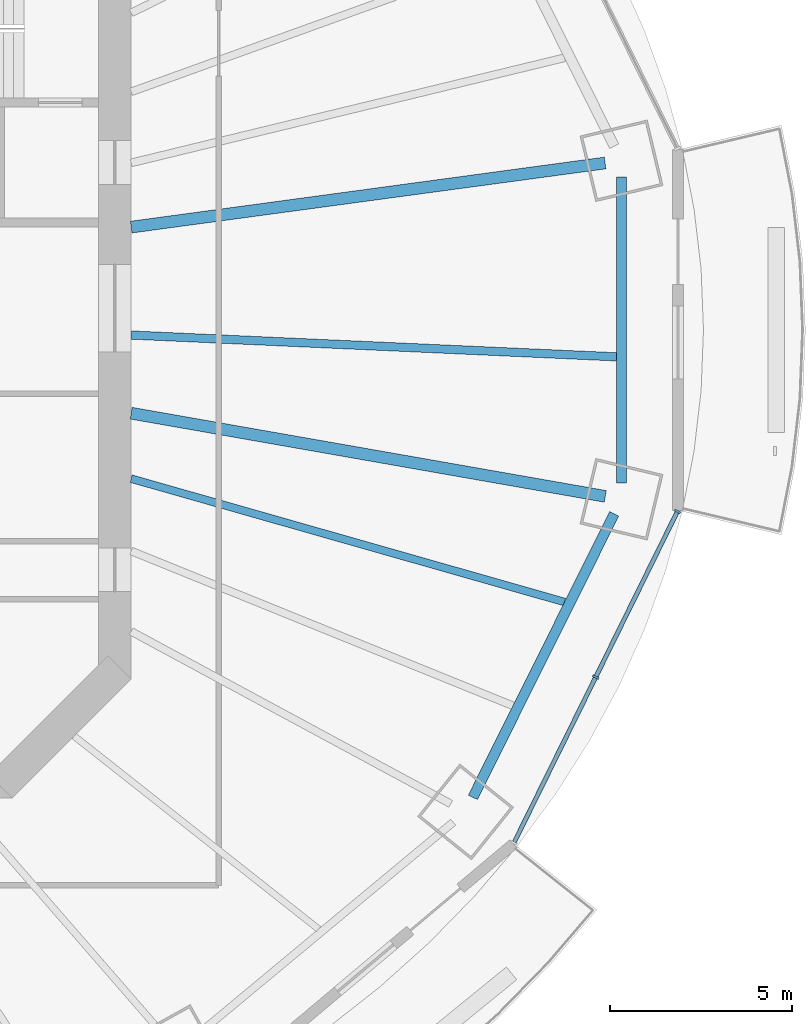
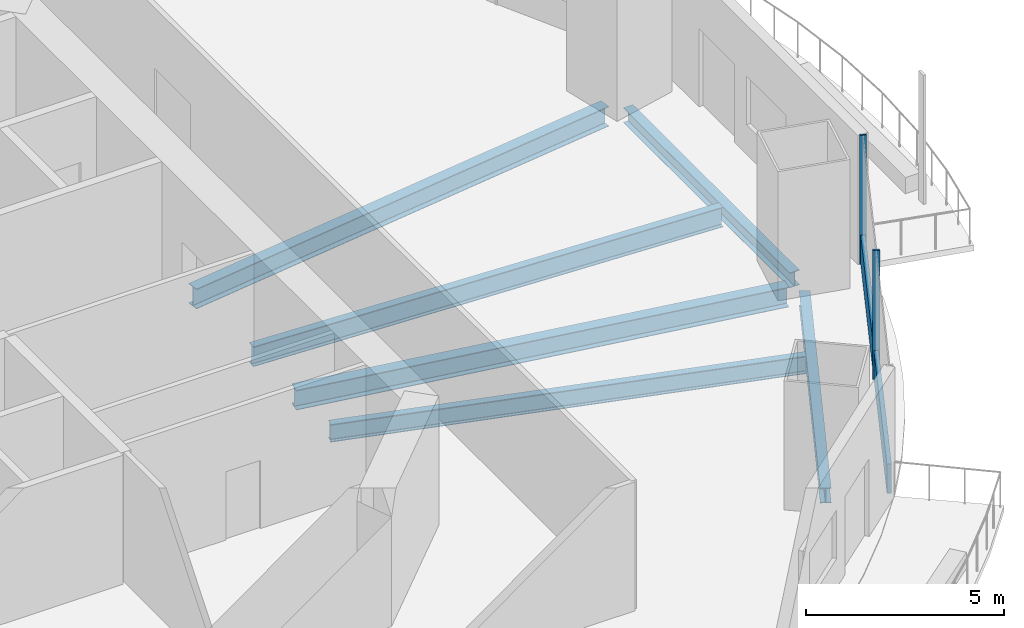
# One storey, part 5 of 19: 6 beams, 3 members, 1 element without a shape of its own.
"""IFC4 building model written with IfcOpenShell, lengths in metres."""

from ifc_helpers import new_model, si_unit, direction, frame, origin, origin_2d, place, context, subcontext, project, spatial, rectangle, i_section, extrude, material, material_profile, profile_set, type_object, element, aggregate, save


model = new_model("IFC4")

# Units and contexts
model_context = context("Model", 3, precision=1e-05, world=origin(), true_north=direction((0.0, 1.0)))
body_context = subcontext(model_context, "Body", "Model", "MODEL_VIEW")
ifc_project = project(units=[si_unit("LENGTHUNIT", "METRE"), si_unit("AREAUNIT", "SQUARE_METRE"), si_unit("VOLUMEUNIT", "CUBIC_METRE"), si_unit("PLANEANGLEUNIT", "RADIAN"), si_unit("MASSUNIT", "GRAM", prefix="KILO")], contexts=[model_context])

# Site, building, storey
site_placement = place(None, origin())
site = spatial("IfcSite", under=ifc_project, at=site_placement, CompositionType="ELEMENT")
building_placement = place(site_placement, origin())
building = spatial("IfcBuilding", under=site, at=building_placement, Name="Marenthal Gate Tower", CompositionType="ELEMENT")
storey_placement = place(building_placement, frame((0.0, 0.0, 244.050048828125)))
storey = spatial("IfcBuildingStorey", under=building, at=storey_placement, Name="L54", CompositionType="ELEMENT", Elevation=244.050048828125)

# Curtain wall, members
ifc_material_1 = material(Name="Aluminium and glass", Category="aluminium")
curtain_wall_type = type_object("IfcCurtainWallType", Name="Curtain wall typical mid", PredefinedType="NOTDEFINED", material=ifc_material_1)
curtain_wall_placement = place(storey_placement, origin())
curtain_wall = element("IfcCurtainWall", 1, at=curtain_wall_placement, inside=storey, type_object=curtain_wall_type, Name="Curtain wall L54 bay 15", PredefinedType="NOTDEFINED")
ifc_material_2 = material(Name="Aluminium", Category="aluminium")
ifc_material_profile_1 = material_profile(ifc_material_2, rectangle(XDim=0.179931640625, YDim=0.06005859375, at=origin_2d()), Name="60x180 aluminium mullion")
ifc_profile_set_1 = profile_set([ifc_material_profile_1], Name="Aluminium")
member_type_1 = type_object("IfcMemberType", Name="Mullion 60x180 typical mid", PredefinedType="MULLION", material=ifc_profile_set_1)
member_1_placement = place(storey_placement, frame((29.205810546875, -10.133056640625, 0.0), z_axis=(0.0, 0.0, 1.0), x_axis=(-0.896835471663, 0.442364258013, 0.0)))
member_1 = element("IfcMember", 2, at=member_1_placement, type_object=member_type_1, Name="Mullion L54 bay 15.2", PredefinedType="MULLION", context=body_context, shape_type="SweptSolid", body=[
    extrude(rectangle(XDim=0.179931640625, YDim=0.06005859375, at=origin_2d()), origin(), (0.0, 0.0, 1.0), 3.969970703125),
])
member_2_placement = place(storey_placement, frame((31.45068359375, -5.58203125, 0.0), z_axis=(0.0, 0.0, 1.0), x_axis=(-0.896835471663, 0.442364258013, 0.0)))
member_2 = element("IfcMember", 3, at=member_2_placement, type_object=member_type_1, Name="Mullion L54 bay 15.3", PredefinedType="MULLION", context=body_context, shape_type="SweptSolid", body=[
    extrude(rectangle(XDim=0.179931640625, YDim=0.06005859375, at=origin_2d()), origin(), (0.0, 0.0, 1.0), 3.969970703125),
])
ifc_material_3 = material(Name="Aluminium", Category="aluminium")
ifc_material_profile_2 = material_profile(ifc_material_3, rectangle(XDim=0.1201171875, YDim=0.89990234375, at=origin_2d()), Name="120x900 aluminium transom")
ifc_profile_set_2 = profile_set([ifc_material_profile_2], Name="Aluminium")
member_type_2 = type_object("IfcMemberType", Name="Transom 120x900 typical mid", PredefinedType="USERDEFINED", material=ifc_profile_set_2)
member_3_placement = place(storey_placement, frame((26.974365234375, -14.656982421875, 0.449951171875), z_axis=(0.442357544454, 0.896838783096, 0.0), x_axis=(-0.896838783096, 0.442357544454, 0.0)))
member_3 = element("IfcMember", 4, at=member_3_placement, type_object=member_type_2, Name="Transom L54 bay 15", ObjectType="TRANSOM", PredefinedType="USERDEFINED", context=body_context, shape_type="SweptSolid", body=[
    extrude(rectangle(XDim=0.1201171875, YDim=0.89990234375, at=origin_2d()), origin(), (0.0, 0.0, 1.0), 10.0888671875),
])
aggregate(curtain_wall, [member_1, member_2, member_3])

# Beams
ifc_material_4 = material(Name="Steel S355", Category="steel")
ifc_material_profile_3 = material_profile(ifc_material_4, i_section(OverallWidth=0.279052734375, OverallDepth=0.4619140625, WebThickness=0.0107421875, FlangeThickness=0.017333984375, FilletRadius=0.010009765625, at=origin_2d()), Name="W460X113")
ifc_profile_set_3 = profile_set([ifc_material_profile_3], Name="Steel S355")
beam_type_1 = type_object("IfcBeamType", Name="W460X113 beam", PredefinedType="BEAM", material=ifc_profile_set_3)
beam_1_placement = place(storey_placement, frame((25.83349609375, -13.433349609375, -0.4111328125), z_axis=(0.446112921938, 0.894976681752, 0.0), x_axis=(-0.894976681752, 0.446112921938, 0.0)))
element("IfcBeam", 5, at=beam_1_placement, inside=storey, type_object=beam_type_1, Name="BM-L54-55", PredefinedType="BEAM", context=body_context, shape_type="SweptSolid", body=[
    extrude(i_section(OverallWidth=0.279052734375, OverallDepth=0.4619140625, WebThickness=0.0107421875, FlangeThickness=0.017333984375, FilletRadius=0.010009765625, at=origin_2d()), origin(), (0.0, 0.0, 1.0), 8.69775390625),
])
beam_2_placement = place(storey_placement, frame((29.914306640625, -4.7958984375, -0.4111328125), z_axis=(0.0, 1.0, 0.0), x_axis=(-1.0, 0.0, 0.0)))
element("IfcBeam", 6, at=beam_2_placement, inside=storey, type_object=beam_type_1, Name="BM-L54-56", PredefinedType="BEAM", context=body_context, shape_type="SweptSolid", body=[
    extrude(i_section(OverallWidth=0.279052734375, OverallDepth=0.4619140625, WebThickness=0.0107421875, FlangeThickness=0.017333984375, FilletRadius=0.010009765625, at=origin_2d()), origin(), (0.0, 0.0, 1.0), 8.3916015625),
])
ifc_material_5 = material(Name="Steel S355", Category="steel")
ifc_material_profile_4 = material_profile(ifc_material_5, i_section(OverallWidth=0.2119140625, OverallDepth=0.5439453125, WebThickness=0.01318359375, FlangeThickness=0.021240234375, FilletRadius=0.0126953125, at=origin_2d()), Name="W530X123")
ifc_profile_set_4 = profile_set([ifc_material_profile_4], Name="Steel S355")
beam_type_2 = type_object("IfcBeamType", Name="W530X123 beam", PredefinedType="BEAM", material=ifc_profile_set_4)
beam_3_placement = place(storey_placement, frame((28.35107421875, -8.070068359375, -0.4521484375), z_axis=(-0.96179820345, 0.27375941233, 0.0), x_axis=(-0.27375941233, -0.96179820345, 0.0)))
element("IfcBeam", 7, at=beam_3_placement, inside=storey, type_object=beam_type_2, Name="BM-L54-39", PredefinedType="BEAM", context=body_context, shape_type="SweptSolid", body=[
    extrude(i_section(OverallWidth=0.2119140625, OverallDepth=0.5439453125, WebThickness=0.01318359375, FlangeThickness=0.021240234375, FilletRadius=0.0126953125, at=origin_2d()), origin(), (0.0, 0.0, 1.0), 12.373779296875),
])
ifc_material_6 = material(Name="Steel S355", Category="steel")
ifc_material_profile_5 = material_profile(ifc_material_6, i_section(OverallWidth=0.22900390625, OverallDepth=0.612060546875, WebThickness=0.011962890625, FlangeThickness=0.01953125, FilletRadius=0.0126953125, at=origin_2d()), Name="W610X125")
ifc_profile_set_5 = profile_set([ifc_material_profile_5], Name="Steel S355")
beam_type_3 = type_object("IfcBeamType", Name="W610X125 beam", PredefinedType="BEAM", material=ifc_profile_set_5)
beam_4_placement = place(storey_placement, frame((29.774658203125, -1.337158203125, -0.486083984375), z_axis=(-0.998993149239, 0.044862988911, 0.0), x_axis=(-0.044862988911, -0.998993149239, 0.0)))
element("IfcBeam", 8, at=beam_4_placement, inside=storey, type_object=beam_type_3, Name="BM-L54-40", PredefinedType="BEAM", context=body_context, shape_type="SweptSolid", body=[
    extrude(i_section(OverallWidth=0.22900390625, OverallDepth=0.612060546875, WebThickness=0.011962890625, FlangeThickness=0.01953125, FilletRadius=0.0126953125, at=origin_2d()), origin(), (0.0, 0.0, 1.0), 13.338134765625),
])
ifc_material_7 = material(Name="Steel S355", Category="steel")
ifc_material_profile_6 = material_profile(ifc_material_7, i_section(OverallWidth=0.324951171875, OverallDepth=0.612060546875, WebThickness=0.0126953125, FlangeThickness=0.01904296875, FilletRadius=0.0126953125, at=origin_2d()), Name="W610X155")
ifc_profile_set_6 = profile_set([ifc_material_profile_6], Name="Steel S355")
beam_type_4 = type_object("IfcBeamType", Name="W610X155 beam", PredefinedType="BEAM", material=ifc_profile_set_6)
beam_5_placement = place(storey_placement, frame((29.46337890625, 3.98583984375, -0.486083984375), z_axis=(-0.990972948398, -0.134061983958, 0.0), x_axis=(0.134061983958, -0.990972948398, 0.0)))
element("IfcBeam", 9, at=beam_5_placement, inside=storey, type_object=beam_type_4, Name="BM-L54-01", PredefinedType="BEAM", context=body_context, shape_type="SweptSolid", body=[
    extrude(i_section(OverallWidth=0.324951171875, OverallDepth=0.612060546875, WebThickness=0.0126953125, FlangeThickness=0.01904296875, FilletRadius=0.0126953125, at=origin_2d()), origin(), (0.0, 0.0, 1.0), 13.132080078125),
])
beam_6_placement = place(storey_placement, frame((29.46923828125, -5.1689453125, -0.486083984375), z_axis=(-0.984962098158, 0.172770556494, 0.0), x_axis=(-0.172770556494, -0.984962098158, 0.0)))
element("IfcBeam", 10, at=beam_6_placement, inside=storey, type_object=beam_type_4, Name="BM-L54-16", PredefinedType="BEAM", context=body_context, shape_type="SweptSolid", body=[
    extrude(i_section(OverallWidth=0.324951171875, OverallDepth=0.612060546875, WebThickness=0.0126953125, FlangeThickness=0.01904296875, FilletRadius=0.0126953125, at=origin_2d()), origin(), (0.0, 0.0, 1.0), 13.218017578125),
])

save(model, "model.ifc")
